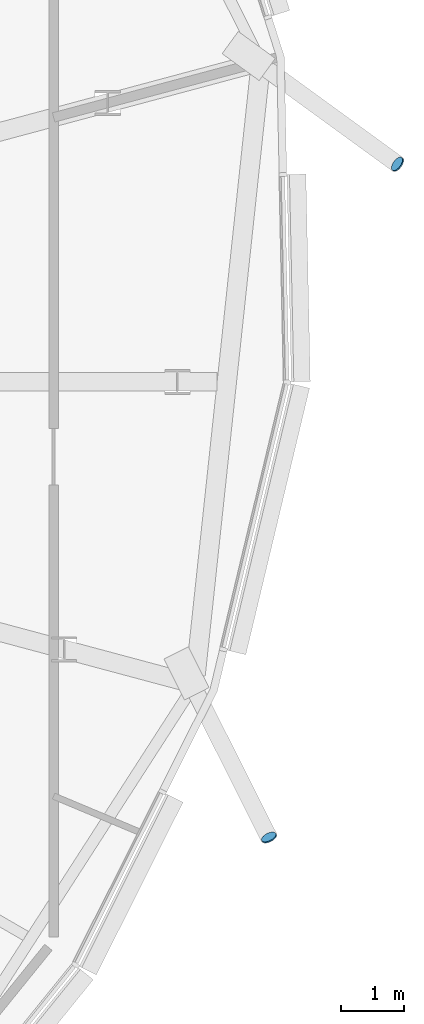
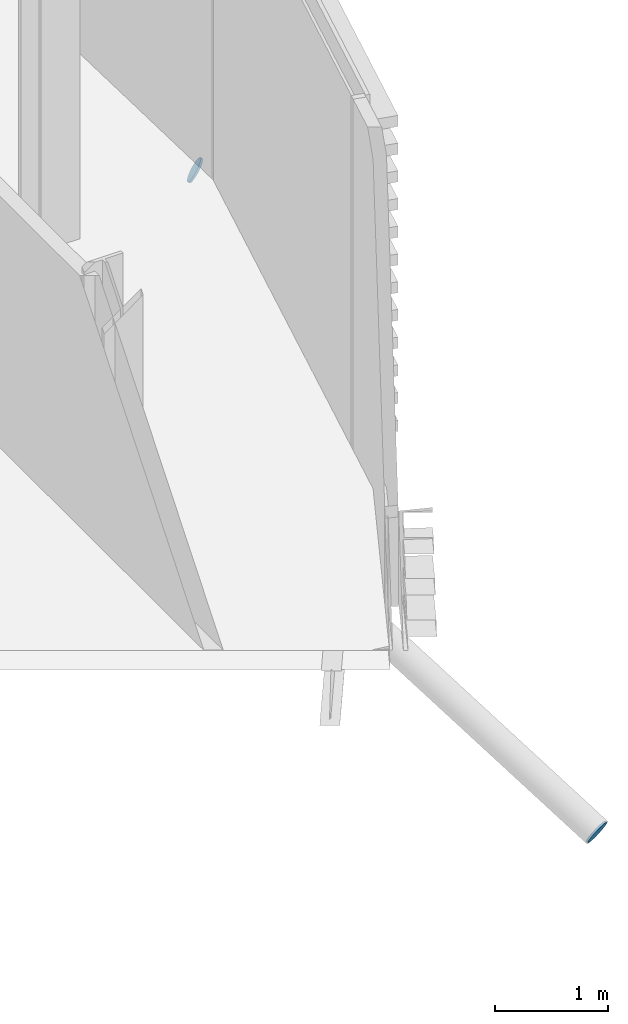
# One storey, part 27 of 33: 2 discrete accessories.
"""IFC4 building model written with IfcOpenShell, lengths in metres."""

import ifcopenshell
import ifcopenshell.guid

model = None  # the IFC model being written
_history = None  # IfcOwnerHistory: only IFC2X3 demands one
_inside = {}  # id of a spatial element -> (the spatial element, [elements in it])
_under = {}  # id of a project, library or spatial element -> (it, [spatial elements below it])
_declared = {}  # id of a project -> (the project, [libraries it declares])
_typed = {}  # id of a type object -> (the type object, [elements of that type])
_made_of = {}  # id of a material, layer set ... -> (it, [elements and type objects made of it])


def new_model(schema):
    """Start an empty IFC model of exactly this schema.

    Asked for "IFC4X3", IfcOpenShell would pick the latest addendum, in which some entities
    have other attributes; the version numbers below select the first issue.
    IFC2X3 requires an IfcOwnerHistory on every rooted entity: one is made here for all.
    """
    global model, _history
    if schema == "IFC4X3":
        model = ifcopenshell.file(schema_version=(4, 3, 0, 0))
    else:
        model = ifcopenshell.file(schema=schema)
    _inside.clear()
    _under.clear()
    _declared.clear()
    _typed.clear()
    _made_of.clear()
    _history = None
    if model.schema == "IFC2X3":
        org = make("IfcOrganization", Name="unknown")
        user = make(
            "IfcPersonAndOrganization",
            ThePerson=make("IfcPerson", FamilyName="unknown"),
            TheOrganization=org,
        )
        app = make(
            "IfcApplication",
            ApplicationDeveloper=org,
            Version="unknown",
            ApplicationFullName="unknown",
            ApplicationIdentifier="unknown",
        )
        _history = make(
            "IfcOwnerHistory",
            OwningUser=user,
            OwningApplication=app,
            ChangeAction="ADDED",
            CreationDate=0,
        )
    return model


def make(cls, **values):
    """One entity of the class cls with the attributes given. An attribute that is None is left unset."""
    return model.create_entity(
        cls, **{name: value for name, value in values.items() if value is not None}
    )


def rooted(cls, **values):
    """An entity with a GlobalId (a new one), such as an element, a storey or a relation."""
    return make(cls, GlobalId=ifcopenshell.guid.new(), OwnerHistory=_history, **values)


def si_unit(unit_type, name, prefix=None):
    """IfcSIUnit, for example si_unit("LENGTHUNIT", "METRE", prefix="MILLI")."""
    return make("IfcSIUnit", UnitType=unit_type, Prefix=prefix, Name=name)


def assignment(units):
    """IfcUnitAssignment: the units of a project."""
    return None if units is None else make("IfcUnitAssignment", Units=units)


def point(xyz):
    """IfcCartesianPoint."""
    return None if xyz is None else make("IfcCartesianPoint", Coordinates=xyz)


def direction(xyz):
    """IfcDirection."""
    return None if xyz is None else make("IfcDirection", DirectionRatios=xyz)


def frame(location, z_axis=None, x_axis=None):
    """IfcAxis2Placement3D, a coordinate frame: its origin and axes. An axis left out is left unset."""
    return make(
        "IfcAxis2Placement3D",
        Location=point(location),
        Axis=direction(z_axis),
        RefDirection=direction(x_axis),
    )


def frame_2d(location, x_axis=None):
    """IfcAxis2Placement2D, a coordinate frame in the plane: its origin and x axis."""
    return make(
        "IfcAxis2Placement2D", Location=point(location), RefDirection=direction(x_axis)
    )


def origin():
    """The frame at (0, 0, 0) with its axes left unset."""
    return frame((0.0, 0.0, 0.0))


def origin_2d():
    """The frame at (0, 0) in the plane with its x axis left unset."""
    return frame_2d((0.0, 0.0))


def place(relative_to, where):
    """IfcLocalPlacement: puts the frame where relative to a parent placement (None: the world)."""
    return make(
        "IfcLocalPlacement", PlacementRelTo=relative_to, RelativePlacement=where
    )


def context(
    kind, dimensions, precision=None, world=None, true_north=None, identifier=None
):
    """IfcGeometricRepresentationContext, for example the 3D "Model" context."""
    return make(
        "IfcGeometricRepresentationContext",
        ContextIdentifier=identifier,
        ContextType=kind,
        CoordinateSpaceDimension=dimensions,
        Precision=precision,
        WorldCoordinateSystem=world,
        TrueNorth=true_north,
    )


def subcontext(parent, identifier, kind, view, scale=None):
    """IfcGeometricRepresentationSubContext, for example "Body" below "Model"."""
    return make(
        "IfcGeometricRepresentationSubContext",
        ContextIdentifier=identifier,
        ContextType=kind,
        ParentContext=parent,
        TargetScale=scale,
        TargetView=view,
    )


def project(units=None, contexts=None):
    """IfcProject with its units and contexts."""
    return rooted(
        "IfcProject",
        Name="project",
        RepresentationContexts=contexts,
        UnitsInContext=assignment(units),
    )


def spatial(cls, under=None, at=None, **own):
    """A site, building, storey or space (cls), placed at a placement, below another one or the project."""
    s = rooted(cls, ObjectPlacement=at, **own)
    if under is not None:
        _under.setdefault(under.id(), (under, []))[1].append(s)
    return s


def profile(cls, at=None, kind="AREA", **sizes):
    """A parametric profile (cls). Its sizes go by their IFC names, for example OverallWidth=200.0."""
    return make(cls, ProfileType=kind, Position=at, **sizes)


def circle(**sizes):
    """IfcCircleProfileDef."""
    return profile("IfcCircleProfileDef", **sizes)


def extrude(swept, where, along, depth):
    """IfcExtrudedAreaSolid: the profile swept, set in the frame where, extruded along a direction by depth."""
    return make(
        "IfcExtrudedAreaSolid",
        SweptArea=swept,
        Position=where,
        ExtrudedDirection=direction(along),
        Depth=depth,
    )


def shape(context_of_items, identifier, shape_type, items):
    """IfcShapeRepresentation: the items that make up one representation, for example the "Body"."""
    return make(
        "IfcShapeRepresentation",
        ContextOfItems=context_of_items,
        RepresentationIdentifier=identifier,
        RepresentationType=shape_type,
        Items=items,
    )


def material(Name=None, Category=None):
    """IfcMaterial."""
    return make("IfcMaterial", Name=Name, Category=Category)


def material_profile(
    of_material, cross_section, Name=None, Category=None, Priority=None
):
    """IfcMaterialProfile: a cross section and its material."""
    return make(
        "IfcMaterialProfile",
        Name=Name,
        Material=of_material,
        Profile=cross_section,
        Priority=Priority,
        Category=Category,
    )


def profile_set(profiles, Name=None, composite=None):
    """IfcMaterialProfileSet."""
    return make(
        "IfcMaterialProfileSet",
        Name=Name,
        MaterialProfiles=profiles,
        CompositeProfile=composite,
    )


def made_of(thing, what):
    """Note that an element or type object is made of a material, layer set ...; save() writes the relation."""
    if what is not None:
        _made_of.setdefault(what.id(), (what, []))[1].append(thing)
    return thing


def type_object(cls, material=None, **own):
    """A type object (cls), such as IfcWallType, which elements share."""
    return made_of(rooted(cls, **own), material)


def element(
    cls,
    number,
    at=None,
    inside=None,
    cuts=None,
    type_object=None,
    material=None,
    context=None,
    identifier="Body",
    shape_type=None,
    held_by="IfcProductDefinitionShape",
    body=None,
    shapes=None,
    **own,
):
    """One element of the class cls, such as IfcWall. Its Tag is "e" and its number.

    at: its placement. inside: the storey or other place that contains it. cuts: it is an
    opening in that element (IfcRelVoidsElement). A single representation is given by context,
    identifier, shape_type and body (its items); several are given by shapes. held_by: the class
    of the entity that holds the representations. save() writes the other relations.
    """
    e = rooted(cls, Tag="e%d" % number, ObjectPlacement=at, **own)
    if body is not None:
        shapes = [shape(context, identifier, shape_type, body)]
    if shapes is not None:
        e.Representation = make(held_by, Representations=shapes)
    if inside is not None:
        _inside.setdefault(inside.id(), (inside, []))[1].append(e)
    if cuts is not None:
        rooted(
            "IfcRelVoidsElement", RelatingBuildingElement=cuts, RelatedOpeningElement=e
        )
    if type_object is not None:
        _typed.setdefault(type_object.id(), (type_object, []))[1].append(e)
    return made_of(e, material)


def aggregate(whole, parts):
    """IfcRelAggregates: a whole, such as a stair, and the parts it consists of."""
    return rooted("IfcRelAggregates", RelatingObject=whole, RelatedObjects=parts)


def save(model, path):
    """Write the relations noted so far, then the file.

    IfcRelAggregates (storeys below a building ...), IfcRelContainedInSpatialStructure (elements
    in a storey), IfcRelDefinesByType, IfcRelAssociatesMaterial and IfcRelDeclares: one each for
    every whole, place, type object, material and project.
    """
    for whole, parts in _under.values():
        aggregate(whole, parts)
    for where, things in _inside.values():
        rooted(
            "IfcRelContainedInSpatialStructure",
            RelatedElements=things,
            RelatingStructure=where,
        )
    for kind, things in _typed.values():
        rooted("IfcRelDefinesByType", RelatedObjects=things, RelatingType=kind)
    for what, things in _made_of.values():
        rooted("IfcRelAssociatesMaterial", RelatedObjects=things, RelatingMaterial=what)
    for by, libraries in _declared.values():
        rooted("IfcRelDeclares", RelatingContext=by, RelatedDefinitions=libraries)
    model.write(path)


model = new_model("IFC4")

# Units and contexts
model_context = context("Model", 3, precision=1e-05, world=origin(), true_north=direction((0.0, 1.0)))
body_context = subcontext(model_context, "Body", "Model", "MODEL_VIEW")
ifc_project = project(units=[si_unit("LENGTHUNIT", "METRE"), si_unit("AREAUNIT", "SQUARE_METRE"), si_unit("VOLUMEUNIT", "CUBIC_METRE"), si_unit("PLANEANGLEUNIT", "RADIAN"), si_unit("MASSUNIT", "GRAM", prefix="KILO")], contexts=[model_context])

# Site, building, storey
site_placement = place(None, origin())
site = spatial("IfcSite", under=ifc_project, at=site_placement, CompositionType="ELEMENT")
building_placement = place(site_placement, origin())
building = spatial("IfcBuilding", under=site, at=building_placement, Name="Rimbun Link Towers", CompositionType="ELEMENT")
storey_placement = place(building_placement, frame((0.0, 0.0, 240.89990234375)))
storey = spatial("IfcBuildingStorey", under=building, at=storey_placement, Name="L59", CompositionType="ELEMENT", Elevation=240.89990234375)

# Discrete accessories
ifc_material = material(Name="Steel S355J2H", Category="steel")
ifc_material_profile = material_profile(ifc_material, circle(Radius=0.1240234375, at=origin_2d()), Name="PL D248")
ifc_profile_set = profile_set([ifc_material_profile], Name="Steel S355J2H")
discrete_accessory_type = type_object("IfcDiscreteAccessoryType", Name="Link foot sealing plate D248X20", PredefinedType="BRACKET", material=ifc_profile_set)
for number, where, z_axis, x_axis, name in (
    (1, (50.75439453125, -7.19140625, -2.607421875), (0.390360029179, -0.780720058359, -0.487950036474), (0.894427191, 0.4472135955, 0.0), "Link foot sealing plate T2 L59 20"),
    (2, (52.7822265625, 3.447021484375, -2.607421875), (0.707106781187, -0.512042841549, -0.487659849094), (0.586509812152, 0.809942121543, 0.0), "Link foot sealing plate T2 L59 22"),
):
    element("IfcDiscreteAccessory", number, at=place(storey_placement, frame(where, z_axis=z_axis, x_axis=x_axis)), inside=storey, type_object=discrete_accessory_type, Name=name, PredefinedType="BRACKET", context=body_context, shape_type="SweptSolid", body=[
        extrude(circle(Radius=0.1240234375, at=origin_2d()), origin(), (0.0, 0.0, 1.0), 0.02001953125),
    ])

save(model, "model.ifc")
